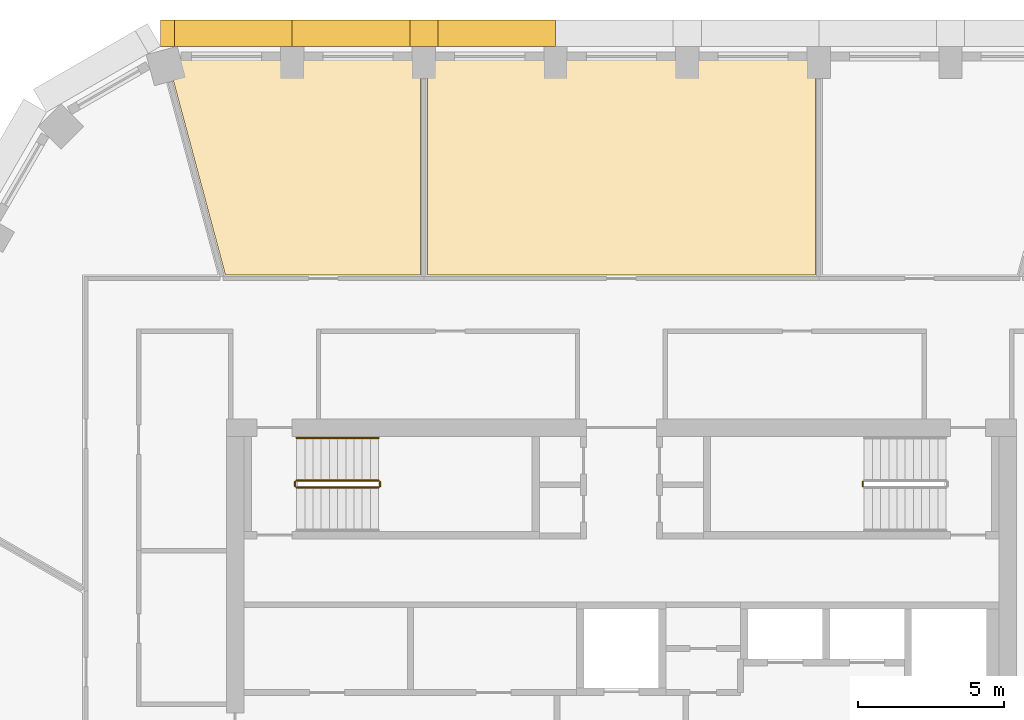
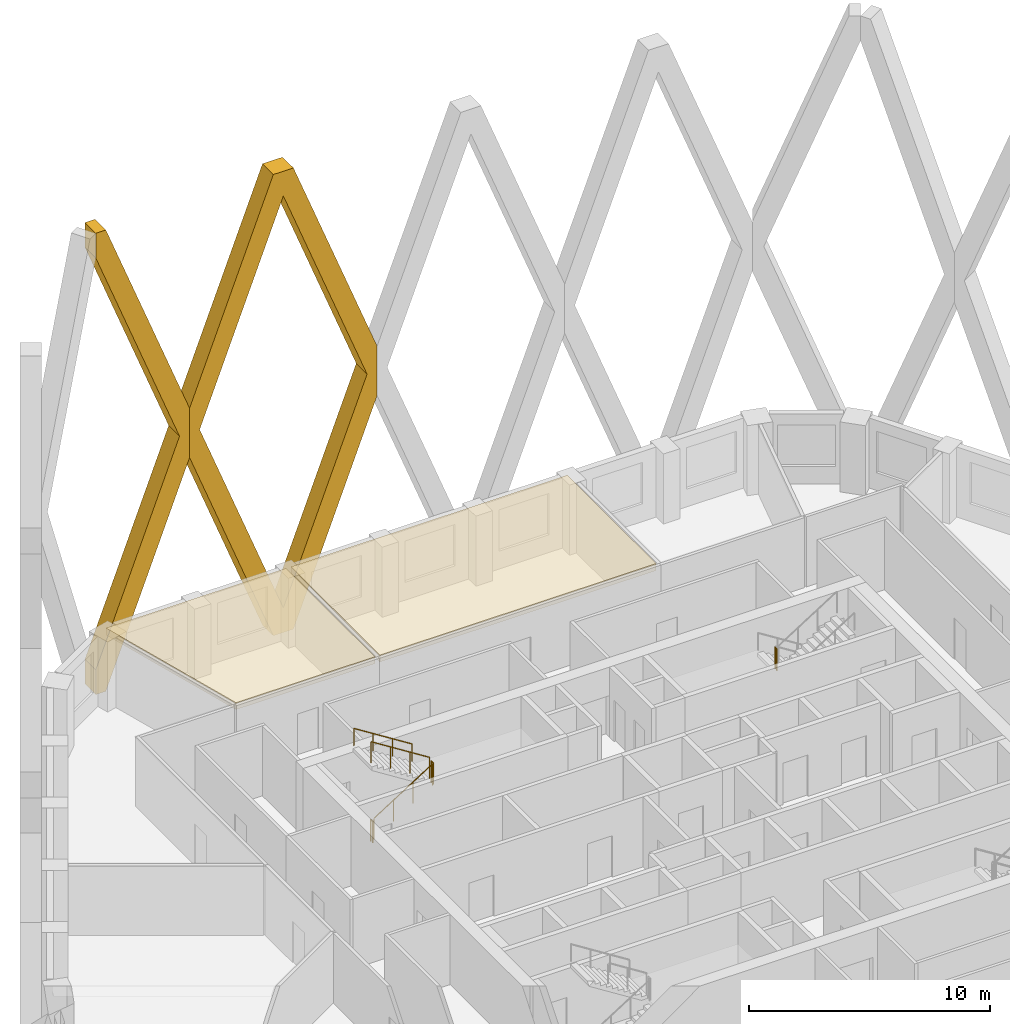
# One storey, part 14 of 16: 6 railings, 4 coverings.
"""IFC4 building model written with IfcOpenShell, lengths in metres."""

from ifc_helpers import new_model, si_unit, direction, frame, origin, origin_2d, place, context, subcontext, project, spatial, polyline, circle, outline, extrude, material, layer, layer_set, type_object, element, save


model = new_model("IFC4")

# Units and contexts
model_context = context("Model", 3, precision=1e-05, world=origin(), true_north=direction((0.0, 1.0)))
body_context = subcontext(model_context, "Body", "Model", "MODEL_VIEW")
ifc_project = project(units=[si_unit("LENGTHUNIT", "METRE"), si_unit("AREAUNIT", "SQUARE_METRE"), si_unit("VOLUMEUNIT", "CUBIC_METRE"), si_unit("PLANEANGLEUNIT", "RADIAN"), si_unit("MASSUNIT", "GRAM", prefix="KILO")], contexts=[model_context])

# Site, building, storey
site_placement = place(None, origin())
site = spatial("IfcSite", under=ifc_project, at=site_placement, CompositionType="ELEMENT")
building_placement = place(site_placement, origin())
building = spatial("IfcBuilding", under=site, at=building_placement, Name="Dhurran Vertical Campus", CompositionType="ELEMENT")
storey_placement = place(building_placement, frame((0.0, 0.0, 183.89990234375)))
storey = spatial("IfcBuildingStorey", under=building, at=storey_placement, Name="L45", CompositionType="ELEMENT", Elevation=183.89990234375)

# Coverings
ifc_material_1 = material(Name="Precast concrete C50/60", Category="concrete")
covering_type_1 = type_object("IfcCoveringType", Name="Folded precast fin lattice diamond", PredefinedType="USERDEFINED", material=ifc_material_1)
covering_1_placement = place(storey_placement, frame((-2.25, 23.985595703125, 0.0), z_axis=(0.0, 1.0, 0.0), x_axis=(-1.0, 0.0, 0.0)))
element("IfcCovering", 1, at=covering_1_placement, inside=storey, type_object=covering_type_1, Name="FN1 L45.016", ObjectType="FIN", PredefinedType="USERDEFINED", context=body_context, shape_type="SweptSolid", body=[
    extrude(outline(polyline([(9.0, 12.95361328125), (9.0, 10.4462890625), (4.982177734375, 0.0), (4.017822265625, 0.0), (0.0, 10.4462890625), (0.0, 12.95361328125), (4.017822265625, 23.39990234375), (4.982177734375, 23.39990234375), (9.0, 12.95361328125)]), holes=[polyline([(8.517822265625, 11.699951171875), (4.5, 22.146484375), (0.482177734375, 11.699951171875), (4.5, 1.253662109375), (8.517822265625, 11.699951171875)])]), origin(), (0.0, 0.0, 1.0), 0.89990234375),
])
covering_2_placement = place(storey_placement, frame((-11.25, 23.985595703125, 0.0), z_axis=(0.0, 1.0, 0.0), x_axis=(-1.0, 0.0, 0.0)))
element("IfcCovering", 2, at=covering_2_placement, inside=storey, type_object=covering_type_1, Name="FN1 L45.017", ObjectType="FIN", PredefinedType="USERDEFINED", context=body_context, shape_type="SweptSolid", body=[
    extrude(outline(polyline([(4.017822265625, 0.0), (0.0, 10.4462890625), (0.0, 12.95361328125), (4.017822265625, 23.39990234375), (4.5, 23.39990234375), (4.5, 22.146484375), (0.482177734375, 11.699951171875), (4.5, 1.253662109375), (4.5, 0.0), (4.017822265625, 0.0)])), origin(), (0.0, 0.0, 1.0), 0.89990234375),
])

# Railings
ifc_material_2 = material(Name="Stainless steel balustrade", Category="steel")
railing_type_1 = type_object("IfcRailingType", Name="co-RL-GUARD-1100", PredefinedType="GUARDRAIL", material=ifc_material_2)
railing_1_placement = place(storey_placement, frame((-11.10009765625, 8.89990234375, 0.177490234375)))
element("IfcRailing", 3, at=railing_1_placement, inside=storey, type_object=railing_type_1, Name="L45 ST1 stair guard 1", PredefinedType="GUARDRAIL", context=body_context, shape_type="SweptSolid", body=[
    extrude(circle(Radius=0.02392578125, at=origin_2d()), frame((0.0, 0.0, 1.076171875), z_axis=(0.844908973607, 0.0, 0.534910110503), x_axis=(0.0, 1.0, 0.0)), (0.0, 0.0, 1.0), 3.31396484375),
    extrude(circle(Radius=0.02099609375, at=origin_2d()), origin(), (0.0, 0.0, 1.0), 1.052001953125),
    extrude(circle(Radius=0.02099609375, at=origin_2d()), frame((0.933349609375, 0.0, 0.5908203125)), (0.0, 0.0, 1.0), 1.052001953125),
    extrude(circle(Radius=0.02099609375, at=origin_2d()), frame((1.86669921875, 0.0, 1.181884765625)), (0.0, 0.0, 1.0), 1.052001953125),
    extrude(circle(Radius=0.02099609375, at=origin_2d()), frame((2.800048828125, 0.0, 1.772705078125)), (0.0, 0.0, 1.0), 1.052001953125),
])
railing_2_placement = place(storey_placement, frame((-8.25, 8.949951171875, 1.9501953125)))
element("IfcRailing", 4, at=railing_2_placement, inside=storey, type_object=railing_type_1, Name="L45 ST1 stair guard 2", PredefinedType="GUARDRAIL", context=body_context, shape_type="SweptSolid", body=[
    extrude(circle(Radius=0.02392578125, at=origin_2d()), frame((0.0, 0.0, 1.076171875), z_axis=(0.0, 1.0, 0.0), x_axis=(-1.0, 0.0, 0.0)), (0.0, 0.0, 1.0), 0.150146484375),
    extrude(circle(Radius=0.02099609375, at=origin_2d()), origin(), (0.0, 0.0, 1.0), 1.052001953125),
    extrude(circle(Radius=0.02099609375, at=origin_2d()), frame((0.0, 0.150146484375, 0.0)), (0.0, 0.0, 1.0), 1.052001953125),
])
railing_3_placement = place(storey_placement, frame((-8.300048828125, 9.14990234375, 2.12744140625)))
element("IfcRailing", 5, at=railing_3_placement, inside=storey, type_object=railing_type_1, Name="L45 ST1 stair guard 3", PredefinedType="GUARDRAIL", context=body_context, shape_type="SweptSolid", body=[
    extrude(circle(Radius=0.02392578125, at=origin_2d()), frame((0.0, 0.0, 1.076171875), z_axis=(-0.844908973607, 0.0, 0.534910110503), x_axis=(0.0, -1.0, 0.0)), (0.0, 0.0, 1.0), 3.31396484375),
    extrude(circle(Radius=0.02099609375, at=origin_2d()), origin(), (0.0, 0.0, 1.0), 1.052001953125),
    extrude(circle(Radius=0.02099609375, at=origin_2d()), frame((-0.933349609375, 0.0, 0.5908203125)), (0.0, 0.0, 1.0), 1.052001953125),
    extrude(circle(Radius=0.02099609375, at=origin_2d()), frame((-1.86669921875, 0.0, 1.181884765625)), (0.0, 0.0, 1.0), 1.052001953125),
    extrude(circle(Radius=0.02099609375, at=origin_2d()), frame((-2.800048828125, 0.0, 1.772705078125)), (0.0, 0.0, 1.0), 1.052001953125),
])
railing_4_placement = place(storey_placement, frame((-11.14990234375, 8.949951171875, 0.0)))
element("IfcRailing", 6, at=railing_4_placement, inside=storey, type_object=railing_type_1, Name="L45 ST1 stair guard 4", PredefinedType="GUARDRAIL", context=body_context, shape_type="SweptSolid", body=[
    extrude(circle(Radius=0.02392578125, at=origin_2d()), frame((0.0, 0.0, 1.076171875), z_axis=(0.0, 1.0, 0.0), x_axis=(-1.0, 0.0, 0.0)), (0.0, 0.0, 1.0), 0.150146484375),
    extrude(circle(Radius=0.02099609375, at=origin_2d()), origin(), (0.0, 0.0, 1.0), 1.052001953125),
    extrude(circle(Radius=0.02099609375, at=origin_2d()), frame((0.0, 0.150146484375, 0.0)), (0.0, 0.0, 1.0), 1.052001953125),
])
railing_5_placement = place(storey_placement, frame((8.25, 9.10009765625, 1.9501953125)))
element("IfcRailing", 7, at=railing_5_placement, inside=storey, type_object=railing_type_1, Name="L45 ST2 stair guard 2", PredefinedType="GUARDRAIL", context=body_context, shape_type="SweptSolid", body=[
    extrude(circle(Radius=0.02392578125, at=origin_2d()), frame((0.0, 0.0, 1.076171875), z_axis=(0.0, -1.0, 0.0), x_axis=(1.0, 0.0, 0.0)), (0.0, 0.0, 1.0), 0.150146484375),
    extrude(circle(Radius=0.02099609375, at=origin_2d()), origin(), (0.0, 0.0, 1.0), 1.052001953125),
    extrude(circle(Radius=0.02099609375, at=origin_2d()), frame((0.0, -0.150146484375, 0.0)), (0.0, 0.0, 1.0), 1.052001953125),
])
ifc_material_3 = material(Name="Stainless steel handrail", Category="steel")
railing_type_2 = type_object("IfcRailingType", Name="co-RL-HANDRAIL-900", PredefinedType="HANDRAIL", material=ifc_material_3)
railing_6_placement = place(storey_placement, frame((-8.300048828125, 10.60009765625, 2.12744140625)))
element("IfcRailing", 8, at=railing_6_placement, inside=storey, type_object=railing_type_2, Name="L45 ST1 stair handrail 2", PredefinedType="HANDRAIL", context=body_context, shape_type="SweptSolid", body=[
    extrude(circle(Radius=0.02392578125, at=origin_2d()), frame((0.0, 0.0, 0.8759765625), z_axis=(-0.844908973607, 0.0, 0.534910110503), x_axis=(0.0, -1.0, 0.0)), (0.0, 0.0, 1.0), 3.31396484375),
    extrude(circle(Radius=0.02099609375, at=origin_2d()), origin(), (0.0, 0.0, 1.0), 0.851806640625),
    extrude(circle(Radius=0.02099609375, at=origin_2d()), frame((-0.933349609375, 0.0, 0.5908203125)), (0.0, 0.0, 1.0), 0.851806640625),
    extrude(circle(Radius=0.02099609375, at=origin_2d()), frame((-1.86669921875, 0.0, 1.181884765625)), (0.0, 0.0, 1.0), 0.851806640625),
    extrude(circle(Radius=0.02099609375, at=origin_2d()), frame((-2.800048828125, 0.0, 1.772705078125)), (0.0, 0.0, 1.0), 0.851806640625),
])

# Coverings
ifc_material_4 = material(Name="Mineral fibre ceiling tiles on suspended grid")
ifc_layer = layer(ifc_material_4, 0.35009765625)
ifc_layer_set = layer_set([ifc_layer], Name="Mineral fibre ceiling tiles on suspended grid")
covering_type_2 = type_object("IfcCoveringType", Name="fl-CE-350 suspended ceiling", PredefinedType="CEILING", material=ifc_layer_set)
covering_3_placement = place(storey_placement, frame((0.0, 0.0, 3.2001953125)))
element("IfcCovering", 9, at=covering_3_placement, inside=storey, type_object=covering_type_2, Name="Ceiling 45-17", PredefinedType="CEILING", context=body_context, shape_type="SweptSolid", body=[
    extrude(outline(polyline([(-15.513916015625, 23.56591796875), (-6.8701171875, 23.56591796875), (-6.8701171875, 16.169921875), (-13.531982421875, 16.169921875), (-15.513916015625, 23.56591796875)])), origin(), (0.0, 0.0, 1.0), 0.349853515625),
])
covering_4_placement = place(storey_placement, frame((0.0, 0.0, 3.2001953125)))
element("IfcCovering", 10, at=covering_4_placement, inside=storey, type_object=covering_type_2, Name="Ceiling 45-21", PredefinedType="CEILING", context=body_context, shape_type="SweptSolid", body=[
    extrude(outline(polyline([(-6.6298828125, 23.56591796875), (6.6298828125, 23.56591796875), (6.6298828125, 16.169921875), (-6.6298828125, 16.169921875), (-6.6298828125, 23.56591796875)])), origin(), (0.0, 0.0, 1.0), 0.349853515625),
])

save(model, "model.ifc")
